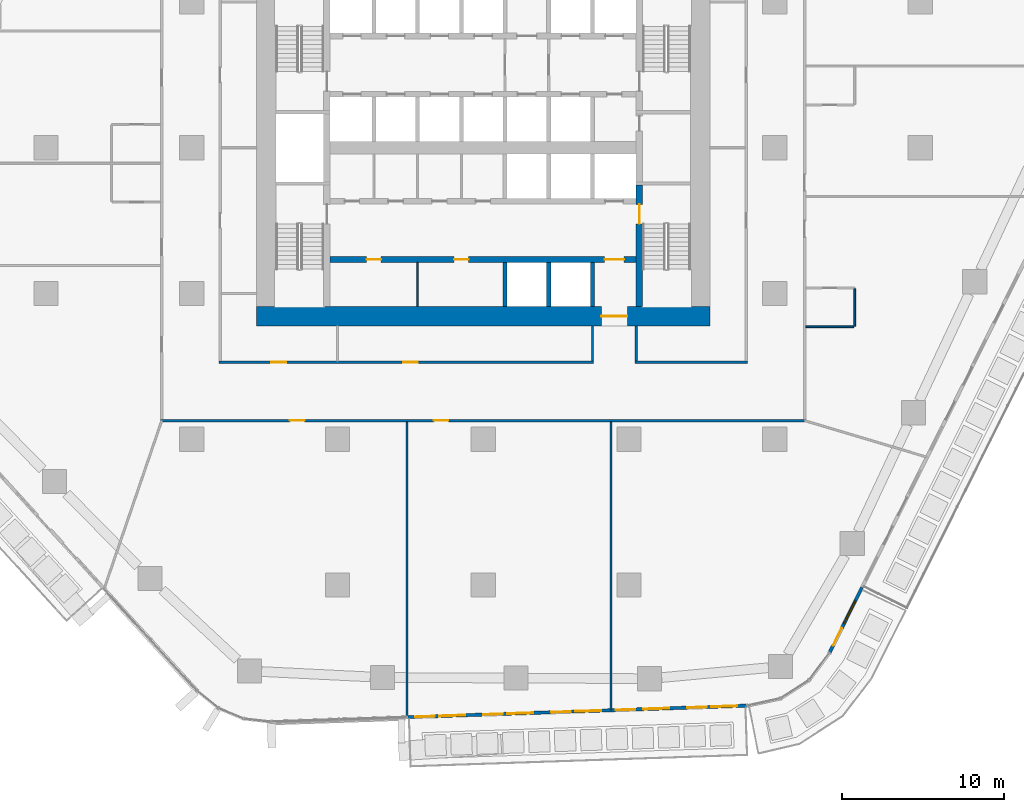
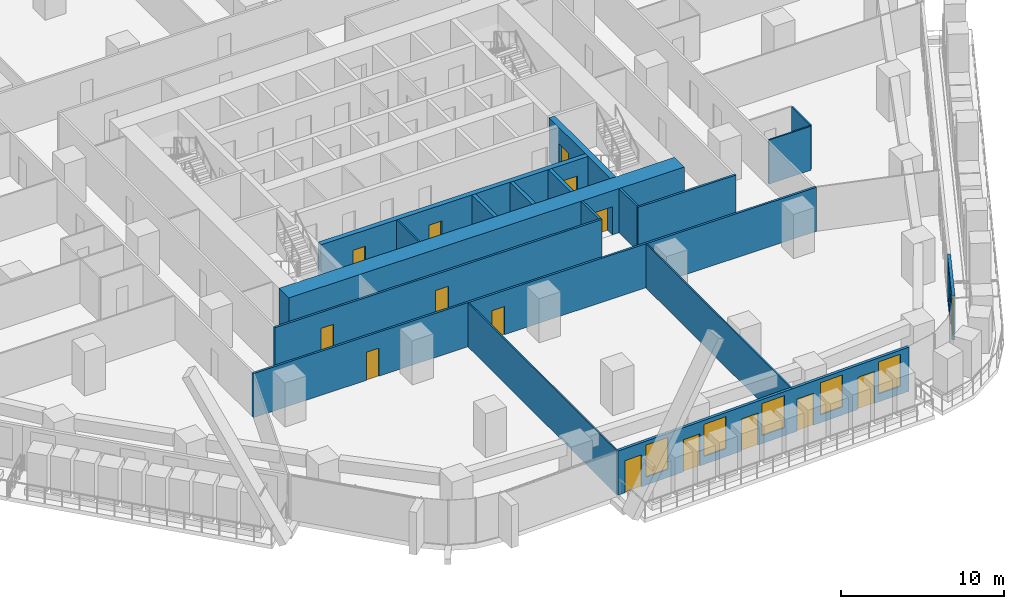
# One storey, part 13 of 26: 18 walls, 15 doors, 6 windows, 21 openings.
"""IFC4 building model written with IfcOpenShell, lengths in metres."""

from ifc_helpers import new_model, si_unit, direction, frame, frame_2d, origin, place, context, subcontext, project, spatial, rectangle, extrude, material, layer, layer_set, type_object, element, fill, save


model = new_model("IFC4")

# Units and contexts
model_context = context("Model", 3, precision=1e-05, world=origin(), true_north=direction((0.0, 1.0)))
body_context = subcontext(model_context, "Body", "Model", "MODEL_VIEW")
ifc_project = project(units=[si_unit("LENGTHUNIT", "METRE"), si_unit("AREAUNIT", "SQUARE_METRE"), si_unit("VOLUMEUNIT", "CUBIC_METRE"), si_unit("PLANEANGLEUNIT", "RADIAN"), si_unit("MASSUNIT", "GRAM", prefix="KILO")], contexts=[model_context])

# Site, building, storey
site_placement = place(None, origin())
site = spatial("IfcSite", under=ifc_project, at=site_placement, CompositionType="ELEMENT")
building_placement = place(site_placement, origin())
building = spatial("IfcBuilding", under=site, at=building_placement, Name="Dongbaek Canopy Tower", CompositionType="ELEMENT")
storey_placement = place(building_placement, frame((0.0, 0.0, 73.60009765625)))
storey = spatial("IfcBuildingStorey", under=building, at=storey_placement, Name="L14", CompositionType="ELEMENT", Elevation=73.60009765625)

# Wall, openings, doors
ifc_material_1 = material(Name="Concrete C60/75", Category="concrete")
ifc_layer_1 = layer(ifc_material_1, 0.35009765625)
ifc_layer_set_1 = layer_set([ifc_layer_1], Name="Core lobby wall 350 Concrete C60/75")
wall_type_1 = type_object("IfcWallType", Name="Core lobby wall 350 Concrete C60/75", PredefinedType="SHEAR", material=ifc_layer_set_1)
wall_1_placement = place(storey_placement, frame((9.449951171875, -6.89990234375, 0.0), z_axis=(0.0, 0.0, 1.0), x_axis=(-1.0, 0.0, 0.0)))
wall_1 = element("IfcWall", 1, at=wall_1_placement, inside=storey, type_object=wall_type_1, Name="Core wall", PredefinedType="SHEAR", context=body_context, shape_type="SweptSolid", body=[
    extrude(rectangle(XDim=18.89990234375, YDim=0.35009765625, at=frame_2d((9.449951171875, 0.0))), origin(), (0.0, 0.0, 1.0), 3.2998046875),
])
opening_1_placement = place(wall_1_placement, frame((0.75, 0.0, 0.0)))
opening_1 = element("IfcOpeningElement", 2, at=opening_1_placement, cuts=wall_1, Name="Opening L14-D045", PredefinedType="OPENING", context=body_context, shape_type="SweptSolid", body=[
    extrude(rectangle(XDim=1.199951171875, YDim=2.10009765625, at=frame_2d((0.60009765625, 1.050048828125))), frame((0.0, 0.18505859375, 0.0), z_axis=(0.0, -1.0, 0.0), x_axis=(1.0, 0.0, 0.0)), (0.0, 0.0, 1.0), 0.3701171875),
])
opening_2_placement = place(wall_1_placement, frame((15.75, 0.0, 0.0)))
opening_2 = element("IfcOpeningElement", 3, at=opening_2_placement, cuts=wall_1, Name="Opening L14-D050", PredefinedType="OPENING", context=body_context, shape_type="SweptSolid", body=[
    extrude(rectangle(XDim=0.89990234375, YDim=2.10009765625, at=frame_2d((0.449951171875, 1.050048828125))), frame((0.0, 0.18505859375, 0.0), z_axis=(0.0, -1.0, 0.0), x_axis=(1.0, 0.0, 0.0)), (0.0, 0.0, 1.0), 0.3701171875),
])
opening_3_placement = place(wall_1_placement, frame((10.35009765625, 0.0, 0.0)))
opening_3 = element("IfcOpeningElement", 4, at=opening_3_placement, cuts=wall_1, Name="Opening L14-D051", PredefinedType="OPENING", context=body_context, shape_type="SweptSolid", body=[
    extrude(rectangle(XDim=0.89990234375, YDim=2.10009765625, at=frame_2d((0.449951171875, 1.050048828125))), frame((0.0, 0.18505859375, 0.0), z_axis=(0.0, -1.0, 0.0), x_axis=(1.0, 0.0, 0.0)), (0.0, 0.0, 1.0), 0.3701171875),
])
ifc_material_2 = material(Name="Steel", Category="steel")
door_type_1 = type_object("IfcDoorType", Name="Core room door 900 x 2100", OperationType="SINGLE_SWING_LEFT", PredefinedType="DOOR", material=ifc_material_2)
door_1_placement = place(opening_2_placement, origin())
door_1 = element("IfcDoor", 5, at=door_1_placement, inside=storey, type_object=door_type_1, Name="Door L14-D050", OperationType="SINGLE_SWING_RIGHT", OverallHeight=2.10009765625, OverallWidth=0.89990234375, PredefinedType="DOOR", context=body_context, shape_type="SweptSolid", body=[
    extrude(rectangle(XDim=0.89990234375, YDim=2.10009765625, at=frame_2d((0.449951171875, 1.050048828125))), frame((0.0, 0.02490234375, 0.0), z_axis=(0.0, -1.0, 0.0), x_axis=(1.0, 0.0, 0.0)), (0.0, 0.0, 1.0), 0.050048828125),
])
fill(opening_2, door_1)
door_2_placement = place(opening_3_placement, origin())
door_2 = element("IfcDoor", 6, at=door_2_placement, inside=storey, type_object=door_type_1, Name="Door L14-D051", OperationType="SINGLE_SWING_LEFT", OverallHeight=2.10009765625, OverallWidth=0.89990234375, PredefinedType="DOOR", context=body_context, shape_type="SweptSolid", body=[
    extrude(rectangle(XDim=0.89990234375, YDim=2.10009765625, at=frame_2d((0.449951171875, 1.050048828125))), frame((0.0, 0.02490234375, 0.0), z_axis=(0.0, -1.0, 0.0), x_axis=(1.0, 0.0, 0.0)), (0.0, 0.0, 1.0), 0.050048828125),
])
fill(opening_3, door_2)
ifc_material_3 = material(Name="Steel", Category="steel")
door_type_2 = type_object("IfcDoorType", Name="Fire lobby door 1200 x 2100", OperationType="SINGLE_SWING_LEFT", PredefinedType="DOOR", material=ifc_material_3)
door_3_placement = place(opening_1_placement, origin())
door_3 = element("IfcDoor", 7, at=door_3_placement, inside=storey, type_object=door_type_2, Name="Door L14-D045", OperationType="SINGLE_SWING_LEFT", OverallHeight=2.10009765625, OverallWidth=1.199951171875, PredefinedType="DOOR", context=body_context, shape_type="SweptSolid", body=[
    extrude(rectangle(XDim=1.199951171875, YDim=2.10009765625, at=frame_2d((0.60009765625, 1.050048828125))), frame((0.0, 0.02490234375, 0.0), z_axis=(0.0, -1.0, 0.0), x_axis=(1.0, 0.0, 0.0)), (0.0, 0.0, 1.0), 0.050048828125),
])
fill(opening_1, door_3)

# Wall, opening, door
ifc_material_4 = material(Name="Concrete C60/75", Category="concrete")
ifc_layer_2 = layer(ifc_material_4, 1.199951171875)
ifc_layer_set_2 = layer_set([ifc_layer_2], Name="Core outer wall 1200 Concrete C60/75")
wall_type_2 = type_object("IfcWallType", Name="Core outer wall 1200 Concrete C60/75", PredefinedType="SHEAR", material=ifc_layer_set_2)
wall_2_placement = place(storey_placement, frame((14.0, -10.39990234375, 0.0), z_axis=(0.0, 0.0, 1.0), x_axis=(-1.0, 0.0, 0.0)))
wall_2 = element("IfcWall", 8, at=wall_2_placement, inside=storey, type_object=wall_type_2, Name="Core wall", PredefinedType="SHEAR", context=body_context, shape_type="SweptSolid", body=[
    extrude(rectangle(XDim=28.0, YDim=1.199951171875, at=frame_2d((14.0, 0.0))), origin(), (0.0, 0.0, 1.0), 3.2998046875),
])
opening_4_placement = place(wall_2_placement, frame((5.10009765625, 0.0, 0.0)))
opening_4 = element("IfcOpeningElement", 9, at=opening_4_placement, cuts=wall_2, Name="Opening L14-D044", PredefinedType="OPENING", context=body_context, shape_type="SweptSolid", body=[
    extrude(rectangle(XDim=1.60009765625, YDim=2.10009765625, at=frame_2d((0.800048828125, 1.050048828125))), frame((0.0, 0.60986328125, 0.0), z_axis=(0.0, -1.0, 0.0), x_axis=(1.0, 0.0, 0.0)), (0.0, 0.0, 1.0), 1.219970703125),
])
ifc_material_5 = material(Name="Steel", Category="steel")
door_type_3 = type_object("IfcDoorType", Name="Core exit door 1600 x 2100", OperationType="DOUBLE_DOOR_SINGLE_SWING", PredefinedType="DOOR", material=ifc_material_5)
door_4_placement = place(opening_4_placement, origin())
door_4 = element("IfcDoor", 10, at=door_4_placement, inside=storey, type_object=door_type_3, Name="Core exit door", OperationType="DOUBLE_DOOR_SINGLE_SWING", OverallHeight=2.10009765625, OverallWidth=1.60009765625, PredefinedType="DOOR", context=body_context, shape_type="SweptSolid", body=[
    extrude(rectangle(XDim=1.60009765625, YDim=2.10009765625, at=frame_2d((0.800048828125, 1.050048828125))), frame((0.0, 0.02490234375, 0.0), z_axis=(0.0, -1.0, 0.0), x_axis=(1.0, 0.0, 0.0)), (0.0, 0.0, 1.0), 0.050048828125),
])
fill(opening_4, door_4)

# Wall, openings, doors
ifc_material_6 = material(Name="Gypsum board partition, steel stud, 2 x 15 mm fire board", Category="steel")
ifc_layer_3 = layer(ifc_material_6, 0.14990234375)
ifc_layer_set_3 = layer_set([ifc_layer_3], Name="Fire-rated partition 150 gypsum board")
wall_type_3 = type_object("IfcWallType", Name="Fire-rated partition 150 gypsum board", PredefinedType="PARTITIONING", material=ifc_layer_set_3)
wall_3_placement = place(storey_placement, frame((19.925048828125, -16.85009765625, 0.0), z_axis=(0.0, 0.0, 1.0), x_axis=(-1.0, 0.0, 0.0)))
wall_3 = element("IfcWall", 11, at=wall_3_placement, inside=storey, type_object=wall_type_3, Name="Corridor partition", PredefinedType="PARTITIONING", context=body_context, shape_type="SweptSolid", body=[
    extrude(rectangle(XDim=39.85009765625, YDim=0.14990234375, at=frame_2d((19.925048828125, 0.0))), origin(), (0.0, 0.0, 1.0), 3.2998046875),
])
opening_5_placement = place(wall_3_placement, frame((30.959228515625, 0.0, 0.0)))
opening_5 = element("IfcOpeningElement", 12, at=opening_5_placement, cuts=wall_3, Name="Opening L14-D004", PredefinedType="OPENING", context=body_context, shape_type="SweptSolid", body=[
    extrude(rectangle(XDim=0.89990234375, YDim=2.10009765625, at=frame_2d((0.449951171875, 1.050048828125))), frame((0.0, 0.0849609375, 0.0), z_axis=(0.0, -1.0, 0.0), x_axis=(1.0, 0.0, 0.0)), (0.0, 0.0, 1.0), 0.169921875),
])
opening_6_placement = place(wall_3_placement, frame((22.077392578125, 0.0, 0.0)))
opening_6 = element("IfcOpeningElement", 13, at=opening_6_placement, cuts=wall_3, Name="Opening L14-D005", PredefinedType="OPENING", context=body_context, shape_type="SweptSolid", body=[
    extrude(rectangle(XDim=0.89990234375, YDim=2.10009765625, at=frame_2d((0.449951171875, 1.050048828125))), frame((0.0, 0.0849609375, 0.0), z_axis=(0.0, -1.0, 0.0), x_axis=(1.0, 0.0, 0.0)), (0.0, 0.0, 1.0), 0.169921875),
])
ifc_material_7 = material(Name="Timber veneered door leaf", Category="wood")
door_type_4 = type_object("IfcDoorType", Name="Room door 900 x 2100", OperationType="SINGLE_SWING_LEFT", PredefinedType="DOOR", material=ifc_material_7)
door_5_placement = place(opening_5_placement, origin())
door_5 = element("IfcDoor", 14, at=door_5_placement, inside=storey, type_object=door_type_4, Name="Door L14-D004", OperationType="SINGLE_SWING_RIGHT", OverallHeight=2.10009765625, OverallWidth=0.89990234375, PredefinedType="DOOR", context=body_context, shape_type="SweptSolid", body=[
    extrude(rectangle(XDim=0.89990234375, YDim=2.10009765625, at=frame_2d((0.449951171875, 1.050048828125))), frame((0.0, 0.02490234375, 0.0), z_axis=(0.0, -1.0, 0.0), x_axis=(1.0, 0.0, 0.0)), (0.0, 0.0, 1.0), 0.050048828125),
])
fill(opening_5, door_5)
door_6_placement = place(opening_6_placement, origin())
door_6 = element("IfcDoor", 15, at=door_6_placement, inside=storey, type_object=door_type_4, Name="Door L14-D005", OperationType="SINGLE_SWING_LEFT", OverallHeight=2.10009765625, OverallWidth=0.89990234375, PredefinedType="DOOR", context=body_context, shape_type="SweptSolid", body=[
    extrude(rectangle(XDim=0.89990234375, YDim=2.10009765625, at=frame_2d((0.449951171875, 1.050048828125))), frame((0.0, 0.02490234375, 0.0), z_axis=(0.0, -1.0, 0.0), x_axis=(1.0, 0.0, 0.0)), (0.0, 0.0, 1.0), 0.050048828125),
])
fill(opening_6, door_6)

wall_4_placement = place(storey_placement, frame((-16.324951171875, -13.25, 0.0), z_axis=(0.0, 0.0, 1.0), x_axis=(1.0, 0.0, 0.0)))
wall_4 = element("IfcWall", 16, at=wall_4_placement, inside=storey, type_object=wall_type_3, Name="Corridor partition", PredefinedType="PARTITIONING", context=body_context, shape_type="SweptSolid", body=[
    extrude(rectangle(XDim=23.14990234375, YDim=0.14990234375, at=frame_2d((11.574951171875, 0.0))), origin(), (0.0, 0.0, 1.0), 3.2998046875),
])
opening_7_placement = place(wall_4_placement, frame((3.25, 0.0, 0.0)))
opening_7 = element("IfcOpeningElement", 17, at=opening_7_placement, cuts=wall_4, Name="Opening L14-D019", PredefinedType="OPENING", context=body_context, shape_type="SweptSolid", body=[
    extrude(rectangle(XDim=0.89990234375, YDim=2.10009765625, at=frame_2d((0.449951171875, 1.050048828125))), frame((0.0, 0.0849609375, 0.0), z_axis=(0.0, -1.0, 0.0), x_axis=(1.0, 0.0, 0.0)), (0.0, 0.0, 1.0), 0.169921875),
])
opening_8_placement = place(wall_4_placement, frame((11.375, 0.0, 0.0)))
opening_8 = element("IfcOpeningElement", 18, at=opening_8_placement, cuts=wall_4, Name="Opening L14-D020", PredefinedType="OPENING", context=body_context, shape_type="SweptSolid", body=[
    extrude(rectangle(XDim=0.89990234375, YDim=2.10009765625, at=frame_2d((0.449951171875, 1.050048828125))), frame((0.0, 0.0849609375, 0.0), z_axis=(0.0, -1.0, 0.0), x_axis=(1.0, 0.0, 0.0)), (0.0, 0.0, 1.0), 0.169921875),
])
door_7_placement = place(opening_7_placement, origin())
door_7 = element("IfcDoor", 19, at=door_7_placement, inside=storey, type_object=door_type_4, Name="Door L14-D019", OperationType="SINGLE_SWING_LEFT", OverallHeight=2.10009765625, OverallWidth=0.89990234375, PredefinedType="DOOR", context=body_context, shape_type="SweptSolid", body=[
    extrude(rectangle(XDim=0.89990234375, YDim=2.10009765625, at=frame_2d((0.449951171875, 1.050048828125))), frame((0.0, 0.02490234375, 0.0), z_axis=(0.0, -1.0, 0.0), x_axis=(1.0, 0.0, 0.0)), (0.0, 0.0, 1.0), 0.050048828125),
])
fill(opening_7, door_7)
door_8_placement = place(opening_8_placement, origin())
door_8 = element("IfcDoor", 20, at=door_8_placement, inside=storey, type_object=door_type_4, Name="Door L14-D020", OperationType="SINGLE_SWING_RIGHT", OverallHeight=2.10009765625, OverallWidth=0.89990234375, PredefinedType="DOOR", context=body_context, shape_type="SweptSolid", body=[
    extrude(rectangle(XDim=0.89990234375, YDim=2.10009765625, at=frame_2d((0.449951171875, 1.050048828125))), frame((0.0, 0.02490234375, 0.0), z_axis=(0.0, -1.0, 0.0), x_axis=(1.0, 0.0, 0.0)), (0.0, 0.0, 1.0), 0.050048828125),
])
fill(opening_8, door_8)

# Walls
wall_5_placement = place(storey_placement, frame((9.375, -13.25, 0.0), z_axis=(0.0, 0.0, 1.0), x_axis=(1.0, 0.0, 0.0)))
element("IfcWall", 21, at=wall_5_placement, inside=storey, type_object=wall_type_3, Name="Corridor partition", PredefinedType="PARTITIONING", context=body_context, shape_type="SweptSolid", body=[
    extrude(rectangle(XDim=6.949951171875, YDim=0.14990234375, at=frame_2d((3.47509765625, 0.0))), origin(), (0.0, 0.0, 1.0), 3.2998046875),
])
for number, where, z_axis, x_axis, name in (
    (22, (9.449951171875, -13.175048828125, 0.0), (0.0, 0.0, 1.0), (0.0, 1.0, 0.0), "Corridor partition"),
    (23, (6.75, -13.175048828125, 0.0), (0.0, 0.0, 1.0), (0.0, 1.0, 0.0), "Corridor partition"),
):
    element("IfcWall", number, at=place(storey_placement, frame(where, z_axis=z_axis, x_axis=x_axis)), inside=storey, type_object=wall_type_3, Name=name, PredefinedType="PARTITIONING", context=body_context, shape_type="SweptSolid", body=[
        extrude(rectangle(XDim=2.175048828125, YDim=0.14990234375, at=frame_2d((1.08740234375, 0.0))), origin(), (0.0, 0.0, 1.0), 3.2998046875),
    ])
ifc_material_8 = material(Name="Concrete C40/50", Category="concrete")
ifc_layer_4 = layer(ifc_material_8, 0.25)
ifc_layer_set_4 = layer_set([ifc_layer_4], Name="Lift shaft wall 250 Concrete C40/50")
wall_type_4 = type_object("IfcWallType", Name="Lift shaft wall 250 Concrete C40/50", PredefinedType="SOLIDWALL", material=ifc_layer_set_4)
for number, where, z_axis, x_axis, name in (
    (24, (6.75, -9.800048828125, 0.0), (0.0, 0.0, 1.0), (0.0, 1.0, 0.0), "Lift shaft wall"),
    (25, (4.050048828125, -9.800048828125, 0.0), (0.0, 0.0, 1.0), (0.0, 1.0, 0.0), "Lift shaft wall"),
    (26, (1.35009765625, -9.800048828125, 0.0), (0.0, 0.0, 1.0), (0.0, 1.0, 0.0), "Lift shaft wall"),
):
    element("IfcWall", number, at=place(storey_placement, frame(where, z_axis=z_axis, x_axis=x_axis)), inside=storey, type_object=wall_type_4, Name=name, PredefinedType="SOLIDWALL", context=body_context, shape_type="SweptSolid", body=[
        extrude(rectangle(XDim=2.72509765625, YDim=0.25, at=frame_2d((1.362548828125, 0.0))), origin(), (0.0, 0.0, 1.0), 3.2998046875),
    ])
ifc_material_9 = material(Name="Gypsum board partition, steel stud, 2 x 12.5 mm board", Category="steel")
ifc_layer_5 = layer(ifc_material_9, 0.10009765625)
ifc_layer_set_5 = layer_set([ifc_layer_5], Name="Partition 100 gypsum board")
wall_type_5 = type_object("IfcWallType", Name="Partition 100 gypsum board", PredefinedType="PARTITIONING", material=ifc_layer_set_5)
wall_6_placement = place(storey_placement, frame((19.925048828125, -11.05810546875, 0.0), z_axis=(0.0, 0.0, 1.0), x_axis=(1.0, 0.0, 0.0)))
element("IfcWall", 27, at=wall_6_placement, inside=storey, type_object=wall_type_5, Name="Partition", PredefinedType="PARTITIONING", context=body_context, shape_type="SweptSolid", body=[
    extrude(rectangle(XDim=2.974853515625, YDim=0.10009765625, at=frame_2d((1.4873046875, 0.0))), origin(), (0.0, 0.0, 1.0), 3.2998046875),
])
wall_7_placement = place(storey_placement, frame((22.949951171875, -11.008544921875, 0.0), z_axis=(0.0, 0.0, 1.0), x_axis=(0.0, 1.0, 0.0)))
element("IfcWall", 28, at=wall_7_placement, inside=storey, type_object=wall_type_5, Name="Partition", PredefinedType="PARTITIONING", context=body_context, shape_type="SweptSolid", body=[
    extrude(rectangle(XDim=2.300048828125, YDim=0.10009765625, at=frame_2d((1.14990234375, 0.0))), origin(), (0.0, 0.0, 1.0), 3.2998046875),
])
wall_8_placement = place(storey_placement, frame((7.89697265625, -34.719970703125, 0.0), z_axis=(0.0, 0.0, 1.0), x_axis=(0.0, 1.0, 0.0)))
element("IfcWall", 29, at=wall_8_placement, inside=storey, type_object=wall_type_5, Name="Partition", PredefinedType="PARTITIONING", context=body_context, shape_type="SweptSolid", body=[
    extrude(rectangle(XDim=17.794921875, YDim=0.10009765625, at=frame_2d((8.8974609375, 0.0))), origin(), (0.0, 0.0, 1.0), 3.2998046875),
])
wall_9_placement = place(storey_placement, frame((-4.701904296875, -35.147705078125, 0.0), z_axis=(0.0, 0.0, 1.0), x_axis=(0.0, 1.0, 0.0)))
element("IfcWall", 30, at=wall_9_placement, inside=storey, type_object=wall_type_5, Name="Partition", PredefinedType="PARTITIONING", context=body_context, shape_type="SweptSolid", body=[
    extrude(rectangle(XDim=18.22265625, YDim=0.10009765625, at=frame_2d((9.111328125, 0.0))), origin(), (0.0, 0.0, 1.0), 3.2998046875),
])
wall_10_placement = place(storey_placement, frame((-4.050048828125, -9.800048828125, 0.0), z_axis=(0.0, 0.0, 1.0), x_axis=(0.0, 1.0, 0.0)))
element("IfcWall", 31, at=wall_10_placement, inside=storey, type_object=wall_type_5, Name="Core partition", PredefinedType="PARTITIONING", context=body_context, shape_type="SweptSolid", body=[
    extrude(rectangle(XDim=2.72509765625, YDim=0.10009765625, at=frame_2d((1.362548828125, 0.0))), origin(), (0.0, 0.0, 1.0), 3.2998046875),
])

# Wall, opening, door
ifc_material_10 = material(Name="Concrete C60/75", Category="concrete")
ifc_layer_6 = layer(ifc_material_10, 0.39990234375)
ifc_layer_set_6 = layer_set([ifc_layer_6], Name="Stair wall 400 Concrete C60/75")
wall_type_6 = type_object("IfcWallType", Name="Stair wall 400 Concrete C60/75", PredefinedType="SHEAR", material=ifc_layer_set_6)
wall_11_placement = place(storey_placement, frame((9.64990234375, -2.300048828125, 0.0), z_axis=(0.0, 0.0, 1.0), x_axis=(0.0, -1.0, 0.0)))
wall_11 = element("IfcWall", 32, at=wall_11_placement, inside=storey, type_object=wall_type_6, Name="Stair wall", PredefinedType="SHEAR", context=body_context, shape_type="SweptSolid", body=[
    extrude(rectangle(XDim=7.5, YDim=0.39990234375, at=frame_2d((3.75, 0.0))), origin(), (0.0, 0.0, 1.0), 3.2998046875),
])
opening_9_placement = place(wall_11_placement, frame((1.199951171875, 0.0, 0.0)))
opening_9 = element("IfcOpeningElement", 33, at=opening_9_placement, cuts=wall_11, Name="Opening L14-D054", PredefinedType="OPENING", context=body_context, shape_type="SweptSolid", body=[
    extrude(rectangle(XDim=1.199951171875, YDim=2.10009765625, at=frame_2d((0.60009765625, 1.050048828125))), frame((0.0, 0.2099609375, 0.0), z_axis=(0.0, -1.0, 0.0), x_axis=(1.0, 0.0, 0.0)), (0.0, 0.0, 1.0), 0.419921875),
])
ifc_material_11 = material(Name="Steel", Category="steel")
door_type_5 = type_object("IfcDoorType", Name="Stair door 1200 x 2100", OperationType="SINGLE_SWING_LEFT", PredefinedType="DOOR", material=ifc_material_11)
door_9_placement = place(opening_9_placement, origin())
door_9 = element("IfcDoor", 34, at=door_9_placement, inside=storey, type_object=door_type_5, Name="Stair B door", OperationType="SINGLE_SWING_RIGHT", OverallHeight=2.10009765625, OverallWidth=1.199951171875, PredefinedType="DOOR", context=body_context, shape_type="SweptSolid", body=[
    extrude(rectangle(XDim=1.199951171875, YDim=2.10009765625, at=frame_2d((0.60009765625, 1.050048828125))), frame((0.0, 0.02490234375, 0.0), z_axis=(0.0, -1.0, 0.0), x_axis=(1.0, 0.0, 0.0)), (0.0, 0.0, 1.0), 0.050048828125),
])
fill(opening_9, door_9)

# Wall, openings, doors, windows
ifc_material_12 = material(Name="Aluminium window wall", Category="aluminium")
ifc_layer_7 = layer(ifc_material_12, 0.199951171875)
ifc_layer_set_7 = layer_set([ifc_layer_7], Name="Window wall 200")
wall_type_7 = type_object("IfcWallType", Name="Window wall 200", PredefinedType="SOLIDWALL", material=ifc_layer_set_7)
wall_12_placement = place(storey_placement, frame((-4.702392578125, -35.167724609375, 0.0), z_axis=(0.0, 0.0, 1.0), x_axis=(0.999424265527, 0.033928416948, 0.0)))
wall_12 = element("IfcWall", 35, at=wall_12_placement, inside=storey, type_object=wall_type_7, Name="Window wall L14 4", PredefinedType="SOLIDWALL", context=body_context, shape_type="SweptSolid", body=[
    extrude(rectangle(XDim=21.01171875, YDim=0.199951171875, at=frame_2d((10.505859375, 0.0))), origin(), (0.0, 0.0, 1.0), 3.2998046875),
])
opening_10_placement = place(wall_12_placement, frame((2.0, 0.0, 0.60009765625)))
opening_10 = element("IfcOpeningElement", 36, at=opening_10_placement, cuts=wall_12, Name="Opening W1", PredefinedType="OPENING", context=body_context, shape_type="SweptSolid", body=[
    extrude(rectangle(XDim=1.60009765625, YDim=2.39990234375, at=frame_2d((0.800048828125, 1.199951171875))), frame((0.0, 0.10986328125, 0.0), z_axis=(0.0, -1.0, 0.0), x_axis=(1.0, 0.0, 0.0)), (0.0, 0.0, 1.0), 0.219970703125),
])
opening_11_placement = place(wall_12_placement, frame((0.5, 0.0, 0.0)))
opening_11 = element("IfcOpeningElement", 37, at=opening_11_placement, cuts=wall_12, Name="Opening L14-B16", PredefinedType="OPENING", context=body_context, shape_type="SweptSolid", body=[
    extrude(rectangle(XDim=1.199951171875, YDim=2.39990234375, at=frame_2d((0.60009765625, 1.199951171875))), frame((0.0, 0.10986328125, 0.0), z_axis=(0.0, -1.0, 0.0), x_axis=(1.0, 0.0, 0.0)), (0.0, 0.0, 1.0), 0.219970703125),
])
opening_12_placement = place(wall_12_placement, frame((6.202392578125, 0.0, 0.60009765625)))
opening_12 = element("IfcOpeningElement", 38, at=opening_12_placement, cuts=wall_12, Name="Opening W1", PredefinedType="OPENING", context=body_context, shape_type="SweptSolid", body=[
    extrude(rectangle(XDim=1.60009765625, YDim=2.39990234375, at=frame_2d((0.800048828125, 1.199951171875))), frame((0.0, 0.10986328125, 0.0), z_axis=(0.0, -1.0, 0.0), x_axis=(1.0, 0.0, 0.0)), (0.0, 0.0, 1.0), 0.219970703125),
])
opening_13_placement = place(wall_12_placement, frame((4.702392578125, 0.0, 0.0)))
opening_13 = element("IfcOpeningElement", 39, at=opening_13_placement, cuts=wall_12, Name="Opening L14-B17", PredefinedType="OPENING", context=body_context, shape_type="SweptSolid", body=[
    extrude(rectangle(XDim=1.199951171875, YDim=2.39990234375, at=frame_2d((0.60009765625, 1.199951171875))), frame((0.0, 0.10986328125, 0.0), z_axis=(0.0, -1.0, 0.0), x_axis=(1.0, 0.0, 0.0)), (0.0, 0.0, 1.0), 0.219970703125),
])
opening_14_placement = place(wall_12_placement, frame((10.404541015625, 0.0, 0.60009765625)))
opening_14 = element("IfcOpeningElement", 40, at=opening_14_placement, cuts=wall_12, Name="Opening W1", PredefinedType="OPENING", context=body_context, shape_type="SweptSolid", body=[
    extrude(rectangle(XDim=1.60009765625, YDim=2.39990234375, at=frame_2d((0.800048828125, 1.199951171875))), frame((0.0, 0.10986328125, 0.0), z_axis=(0.0, -1.0, 0.0), x_axis=(1.0, 0.0, 0.0)), (0.0, 0.0, 1.0), 0.219970703125),
])
opening_15_placement = place(wall_12_placement, frame((8.904541015625, 0.0, 0.0)))
opening_15 = element("IfcOpeningElement", 41, at=opening_15_placement, cuts=wall_12, Name="Opening L14-B18", PredefinedType="OPENING", context=body_context, shape_type="SweptSolid", body=[
    extrude(rectangle(XDim=1.199951171875, YDim=2.39990234375, at=frame_2d((0.60009765625, 1.199951171875))), frame((0.0, 0.10986328125, 0.0), z_axis=(0.0, -1.0, 0.0), x_axis=(1.0, 0.0, 0.0)), (0.0, 0.0, 1.0), 0.219970703125),
])
opening_16_placement = place(wall_12_placement, frame((14.60693359375, 0.0, 0.60009765625)))
opening_16 = element("IfcOpeningElement", 42, at=opening_16_placement, cuts=wall_12, Name="Opening W1", PredefinedType="OPENING", context=body_context, shape_type="SweptSolid", body=[
    extrude(rectangle(XDim=1.60009765625, YDim=2.39990234375, at=frame_2d((0.800048828125, 1.199951171875))), frame((0.0, 0.10986328125, 0.0), z_axis=(0.0, -1.0, 0.0), x_axis=(1.0, 0.0, 0.0)), (0.0, 0.0, 1.0), 0.219970703125),
])
opening_17_placement = place(wall_12_placement, frame((12.906982421875, 0.0, 0.0)))
opening_17 = element("IfcOpeningElement", 43, at=opening_17_placement, cuts=wall_12, Name="Opening L14-B19", PredefinedType="OPENING", context=body_context, shape_type="SweptSolid", body=[
    extrude(rectangle(XDim=1.199951171875, YDim=2.39990234375, at=frame_2d((0.60009765625, 1.199951171875))), frame((0.0, 0.10986328125, 0.0), z_axis=(0.0, -1.0, 0.0), x_axis=(1.0, 0.0, 0.0)), (0.0, 0.0, 1.0), 0.219970703125),
])
opening_18_placement = place(wall_12_placement, frame((18.809326171875, 0.0, 0.60009765625)))
opening_18 = element("IfcOpeningElement", 44, at=opening_18_placement, cuts=wall_12, Name="Opening W1", PredefinedType="OPENING", context=body_context, shape_type="SweptSolid", body=[
    extrude(rectangle(XDim=1.60009765625, YDim=2.39990234375, at=frame_2d((0.800048828125, 1.199951171875))), frame((0.0, 0.10986328125, 0.0), z_axis=(0.0, -1.0, 0.0), x_axis=(1.0, 0.0, 0.0)), (0.0, 0.0, 1.0), 0.219970703125),
])
opening_19_placement = place(wall_12_placement, frame((17.309326171875, 0.0, 0.0)))
opening_19 = element("IfcOpeningElement", 45, at=opening_19_placement, cuts=wall_12, Name="Opening L14-B20", PredefinedType="OPENING", context=body_context, shape_type="SweptSolid", body=[
    extrude(rectangle(XDim=1.199951171875, YDim=2.39990234375, at=frame_2d((0.60009765625, 1.199951171875))), frame((0.0, 0.10986328125, 0.0), z_axis=(0.0, -1.0, 0.0), x_axis=(1.0, 0.0, 0.0)), (0.0, 0.0, 1.0), 0.219970703125),
])
ifc_material_13 = material(Name="Clear glazing in aluminium frame", Category="aluminium")
door_type_6 = type_object("IfcDoorType", Name="Balcony door BD1 1200 x 2400", OperationType="SLIDING_TO_LEFT", PredefinedType="DOOR", material=ifc_material_13)
door_10_placement = place(opening_11_placement, origin())
door_10 = element("IfcDoor", 46, at=door_10_placement, inside=storey, type_object=door_type_6, Name="Balcony door L14-B16", OperationType="SLIDING_TO_LEFT", OverallHeight=2.39990234375, OverallWidth=1.199951171875, PredefinedType="DOOR", context=body_context, shape_type="SweptSolid", body=[
    extrude(rectangle(XDim=1.199951171875, YDim=2.39990234375, at=frame_2d((0.60009765625, 1.199951171875))), frame((0.0, 0.02490234375, 0.0), z_axis=(0.0, -1.0, 0.0), x_axis=(1.0, 0.0, 0.0)), (0.0, 0.0, 1.0), 0.050048828125),
])
fill(opening_11, door_10)
door_11_placement = place(opening_13_placement, origin())
door_11 = element("IfcDoor", 47, at=door_11_placement, inside=storey, type_object=door_type_6, Name="Balcony door L14-B17", OperationType="SLIDING_TO_LEFT", OverallHeight=2.39990234375, OverallWidth=1.199951171875, PredefinedType="DOOR", context=body_context, shape_type="SweptSolid", body=[
    extrude(rectangle(XDim=1.199951171875, YDim=2.39990234375, at=frame_2d((0.60009765625, 1.199951171875))), frame((0.0, 0.02490234375, 0.0), z_axis=(0.0, -1.0, 0.0), x_axis=(1.0, 0.0, 0.0)), (0.0, 0.0, 1.0), 0.050048828125),
])
fill(opening_13, door_11)
door_12_placement = place(opening_15_placement, origin())
door_12 = element("IfcDoor", 48, at=door_12_placement, inside=storey, type_object=door_type_6, Name="Balcony door L14-B18", OperationType="SLIDING_TO_LEFT", OverallHeight=2.39990234375, OverallWidth=1.199951171875, PredefinedType="DOOR", context=body_context, shape_type="SweptSolid", body=[
    extrude(rectangle(XDim=1.199951171875, YDim=2.39990234375, at=frame_2d((0.60009765625, 1.199951171875))), frame((0.0, 0.02490234375, 0.0), z_axis=(0.0, -1.0, 0.0), x_axis=(1.0, 0.0, 0.0)), (0.0, 0.0, 1.0), 0.050048828125),
])
fill(opening_15, door_12)
door_13_placement = place(opening_17_placement, origin())
door_13 = element("IfcDoor", 49, at=door_13_placement, inside=storey, type_object=door_type_6, Name="Balcony door L14-B19", OperationType="SLIDING_TO_LEFT", OverallHeight=2.39990234375, OverallWidth=1.199951171875, PredefinedType="DOOR", context=body_context, shape_type="SweptSolid", body=[
    extrude(rectangle(XDim=1.199951171875, YDim=2.39990234375, at=frame_2d((0.60009765625, 1.199951171875))), frame((0.0, 0.02490234375, 0.0), z_axis=(0.0, -1.0, 0.0), x_axis=(1.0, 0.0, 0.0)), (0.0, 0.0, 1.0), 0.050048828125),
])
fill(opening_17, door_13)
door_14_placement = place(opening_19_placement, origin())
door_14 = element("IfcDoor", 50, at=door_14_placement, inside=storey, type_object=door_type_6, Name="Balcony door L14-B20", OperationType="SLIDING_TO_LEFT", OverallHeight=2.39990234375, OverallWidth=1.199951171875, PredefinedType="DOOR", context=body_context, shape_type="SweptSolid", body=[
    extrude(rectangle(XDim=1.199951171875, YDim=2.39990234375, at=frame_2d((0.60009765625, 1.199951171875))), frame((0.0, 0.02490234375, 0.0), z_axis=(0.0, -1.0, 0.0), x_axis=(1.0, 0.0, 0.0)), (0.0, 0.0, 1.0), 0.050048828125),
])
fill(opening_19, door_14)
ifc_material_14 = material(Name="Clear glazing in aluminium frame", Category="aluminium")
window_type = type_object("IfcWindowType", Name="Window W1 1600 x 2400", PartitioningType="SINGLE_PANEL", PredefinedType="WINDOW", material=ifc_material_14)
window_1_placement = place(opening_10_placement, origin())
window_1 = element("IfcWindow", 51, at=window_1_placement, inside=storey, type_object=window_type, Name="Window L14 4.1", OverallHeight=2.39990234375, OverallWidth=1.60009765625, PartitioningType="SINGLE_PANEL", PredefinedType="WINDOW", context=body_context, shape_type="SweptSolid", body=[
    extrude(rectangle(XDim=1.60009765625, YDim=2.39990234375, at=frame_2d((0.800048828125, 1.199951171875))), frame((0.0, 0.030029296875, 0.0), z_axis=(0.0, -1.0, 0.0), x_axis=(1.0, 0.0, 0.0)), (0.0, 0.0, 1.0), 0.06005859375),
])
fill(opening_10, window_1)
window_2_placement = place(opening_12_placement, origin())
window_2 = element("IfcWindow", 52, at=window_2_placement, inside=storey, type_object=window_type, Name="Window L14 4.2", OverallHeight=2.39990234375, OverallWidth=1.60009765625, PartitioningType="SINGLE_PANEL", PredefinedType="WINDOW", context=body_context, shape_type="SweptSolid", body=[
    extrude(rectangle(XDim=1.60009765625, YDim=2.39990234375, at=frame_2d((0.800048828125, 1.199951171875))), frame((0.0, 0.030029296875, 0.0), z_axis=(0.0, -1.0, 0.0), x_axis=(1.0, 0.0, 0.0)), (0.0, 0.0, 1.0), 0.06005859375),
])
fill(opening_12, window_2)
window_3_placement = place(opening_14_placement, origin())
window_3 = element("IfcWindow", 53, at=window_3_placement, inside=storey, type_object=window_type, Name="Window L14 4.3", OverallHeight=2.39990234375, OverallWidth=1.60009765625, PartitioningType="SINGLE_PANEL", PredefinedType="WINDOW", context=body_context, shape_type="SweptSolid", body=[
    extrude(rectangle(XDim=1.60009765625, YDim=2.39990234375, at=frame_2d((0.800048828125, 1.199951171875))), frame((0.0, 0.030029296875, 0.0), z_axis=(0.0, -1.0, 0.0), x_axis=(1.0, 0.0, 0.0)), (0.0, 0.0, 1.0), 0.06005859375),
])
fill(opening_14, window_3)
window_4_placement = place(opening_16_placement, origin())
window_4 = element("IfcWindow", 54, at=window_4_placement, inside=storey, type_object=window_type, Name="Window L14 4.4", OverallHeight=2.39990234375, OverallWidth=1.60009765625, PartitioningType="SINGLE_PANEL", PredefinedType="WINDOW", context=body_context, shape_type="SweptSolid", body=[
    extrude(rectangle(XDim=1.60009765625, YDim=2.39990234375, at=frame_2d((0.800048828125, 1.199951171875))), frame((0.0, 0.030029296875, 0.0), z_axis=(0.0, -1.0, 0.0), x_axis=(1.0, 0.0, 0.0)), (0.0, 0.0, 1.0), 0.06005859375),
])
fill(opening_16, window_4)
window_5_placement = place(opening_18_placement, origin())
window_5 = element("IfcWindow", 55, at=window_5_placement, inside=storey, type_object=window_type, Name="Window L14 4.5", OverallHeight=2.39990234375, OverallWidth=1.60009765625, PartitioningType="SINGLE_PANEL", PredefinedType="WINDOW", context=body_context, shape_type="SweptSolid", body=[
    extrude(rectangle(XDim=1.60009765625, YDim=2.39990234375, at=frame_2d((0.800048828125, 1.199951171875))), frame((0.0, 0.030029296875, 0.0), z_axis=(0.0, -1.0, 0.0), x_axis=(1.0, 0.0, 0.0)), (0.0, 0.0, 1.0), 0.06005859375),
])
fill(opening_18, window_5)

# Wall, openings, door, window
wall_13_placement = place(storey_placement, frame((21.389404296875, -31.18359375, 0.0), z_axis=(0.0, 0.0, 1.0), x_axis=(0.446430594138, 0.894818263458, 0.0)))
wall_13 = element("IfcWall", 56, at=wall_13_placement, inside=storey, type_object=wall_type_7, Name="Window wall L14 8", PredefinedType="SOLIDWALL", context=body_context, shape_type="SweptSolid", body=[
    extrude(rectangle(XDim=4.490966796875, YDim=0.199951171875, at=frame_2d((2.24560546875, 0.0))), origin(), (0.0, 0.0, 1.0), 3.2998046875),
])
opening_20_placement = place(wall_13_placement, frame((2.0, 0.0, 0.60009765625)))
opening_20 = element("IfcOpeningElement", 57, at=opening_20_placement, cuts=wall_13, Name="Opening W1", PredefinedType="OPENING", context=body_context, shape_type="SweptSolid", body=[
    extrude(rectangle(XDim=1.60009765625, YDim=2.39990234375, at=frame_2d((0.800048828125, 1.199951171875))), frame((0.0, 0.10986328125, 0.0), z_axis=(0.0, -1.0, 0.0), x_axis=(1.0, 0.0, 0.0)), (0.0, 0.0, 1.0), 0.219970703125),
])
opening_21_placement = place(wall_13_placement, frame((0.5, 0.0, 0.0)))
opening_21 = element("IfcOpeningElement", 58, at=opening_21_placement, cuts=wall_13, Name="Opening L14-B27", PredefinedType="OPENING", context=body_context, shape_type="SweptSolid", body=[
    extrude(rectangle(XDim=1.199951171875, YDim=2.39990234375, at=frame_2d((0.60009765625, 1.199951171875))), frame((0.0, 0.10986328125, 0.0), z_axis=(0.0, -1.0, 0.0), x_axis=(1.0, 0.0, 0.0)), (0.0, 0.0, 1.0), 0.219970703125),
])
door_15_placement = place(opening_21_placement, origin())
door_15 = element("IfcDoor", 59, at=door_15_placement, inside=storey, type_object=door_type_6, Name="Balcony door L14-B27", OperationType="SLIDING_TO_LEFT", OverallHeight=2.39990234375, OverallWidth=1.199951171875, PredefinedType="DOOR", context=body_context, shape_type="SweptSolid", body=[
    extrude(rectangle(XDim=1.199951171875, YDim=2.39990234375, at=frame_2d((0.60009765625, 1.199951171875))), frame((0.0, 0.02490234375, 0.0), z_axis=(0.0, -1.0, 0.0), x_axis=(1.0, 0.0, 0.0)), (0.0, 0.0, 1.0), 0.050048828125),
])
fill(opening_21, door_15)
window_6_placement = place(opening_20_placement, origin())
window_6 = element("IfcWindow", 60, at=window_6_placement, inside=storey, type_object=window_type, Name="Window L14 8.1", OverallHeight=2.39990234375, OverallWidth=1.60009765625, PartitioningType="SINGLE_PANEL", PredefinedType="WINDOW", context=body_context, shape_type="SweptSolid", body=[
    extrude(rectangle(XDim=1.60009765625, YDim=2.39990234375, at=frame_2d((0.800048828125, 1.199951171875))), frame((0.0, 0.030029296875, 0.0), z_axis=(0.0, -1.0, 0.0), x_axis=(1.0, 0.0, 0.0)), (0.0, 0.0, 1.0), 0.06005859375),
])
fill(opening_20, window_6)

save(model, "model.ifc")
